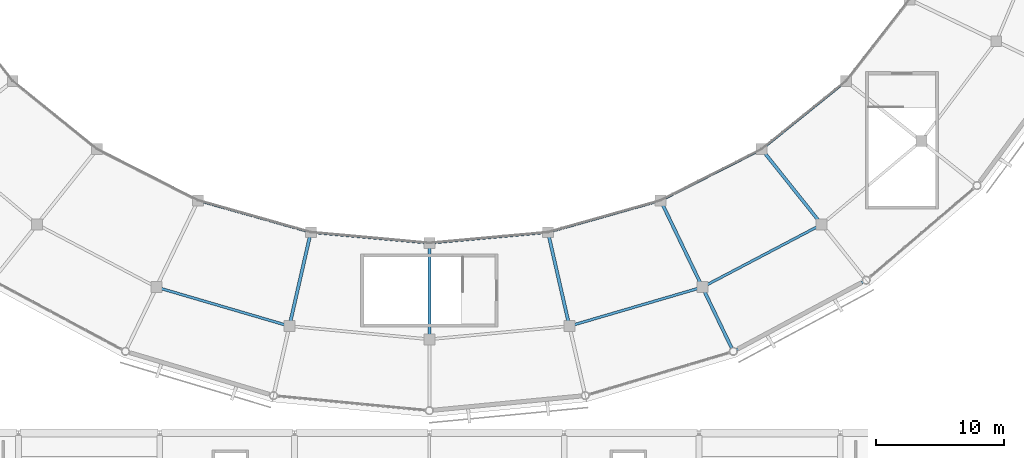
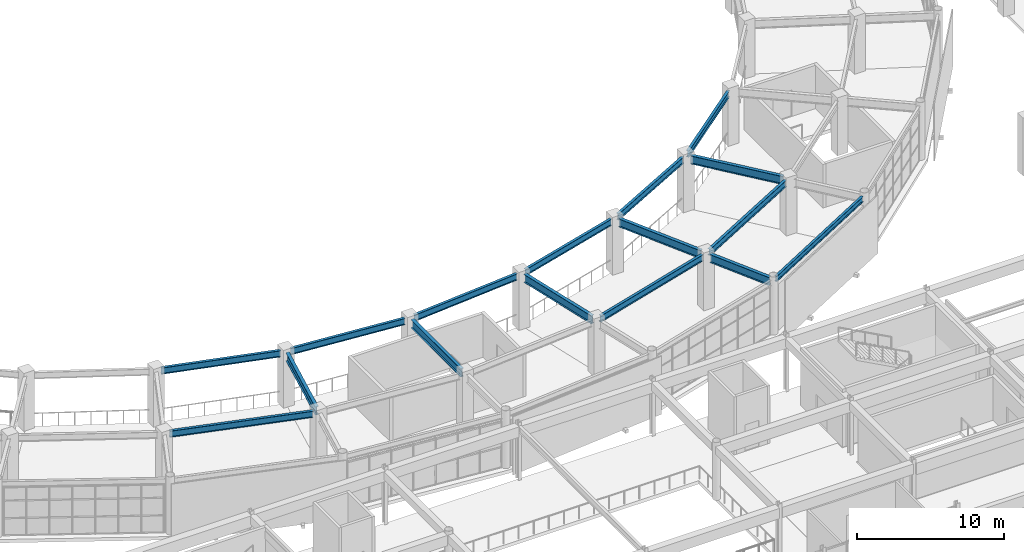
# One storey, part 32 of 112: 16 beams.
"""IFC4 building model written with IfcOpenShell, lengths in metres."""

from ifc_helpers import new_model, si_unit, direction, frame, origin, origin_2d, place, context, subcontext, project, spatial, i_section, extrude, material, material_profile, profile_set, type_object, element, save


model = new_model("IFC4")

# Units and contexts
model_context = context("Model", 3, precision=1e-05, world=origin(), true_north=direction((0.0, 1.0)))
body_context = subcontext(model_context, "Body", "Model", "MODEL_VIEW")
ifc_project = project(units=[si_unit("LENGTHUNIT", "METRE"), si_unit("AREAUNIT", "SQUARE_METRE"), si_unit("VOLUMEUNIT", "CUBIC_METRE"), si_unit("PLANEANGLEUNIT", "RADIAN"), si_unit("MASSUNIT", "GRAM", prefix="KILO")], contexts=[model_context])

# Site, building, storey
site_placement = place(None, origin())
site = spatial("IfcSite", under=ifc_project, at=site_placement, CompositionType="ELEMENT")
building_placement = place(site_placement, origin())
building = spatial("IfcBuilding", under=site, at=building_placement, Name="Cuetzalor Civic Arena", CompositionType="ELEMENT")
storey_placement = place(building_placement, frame((0.0, 0.0, 11.39990234375)))
storey = spatial("IfcBuildingStorey", under=building, at=storey_placement, Name="L02", CompositionType="ELEMENT", Elevation=11.39990234375)

# Beams
ifc_material_1 = material(Name="Steel S355", Category="steel")
ifc_material_profile_1 = material_profile(ifc_material_1, i_section(OverallWidth=0.18994140625, OverallDepth=0.45703125, WebThickness=0.009033203125, FlangeThickness=0.014404296875, at=origin_2d()), Name="W460x74")
ifc_profile_set_1 = profile_set([ifc_material_profile_1], Name="Steel S355")
beam_type_1 = type_object("IfcBeamType", Name="FacadeSpandrelBeam_W460", PredefinedType="SPANDREL", material=ifc_profile_set_1)
beam_1_placement = place(storey_placement, frame((23.924072265625, -41.802978515625, 4.29150390625), z_axis=(0.881304552514, 0.472548712534, 0.0), x_axis=(-0.472548712534, 0.881304552514, 0.0)))
element("IfcBeam", 1, at=beam_1_placement, inside=storey, type_object=beam_type_1, Name="Drum Perimeter Spandrel L02-S24", PredefinedType="SPANDREL", context=body_context, shape_type="SweptSolid", body=[
    extrude(i_section(OverallWidth=0.18994140625, OverallDepth=0.45703125, WebThickness=0.009033203125, FlangeThickness=0.014404296875, at=origin_2d()), origin(), (0.0, 0.0, 1.0), 11.156005859375),
])
ifc_material_2 = material(Name="Steel S355", Category="steel")
ifc_material_profile_2 = material_profile(ifc_material_2, i_section(OverallWidth=0.208984375, OverallDepth=0.532958984375, WebThickness=0.01025390625, FlangeThickness=0.015625, at=origin_2d()), Name="W530x92")
ifc_profile_set_2 = profile_set([ifc_material_profile_2], Name="Steel S355")
beam_type_2 = type_object("IfcBeamType", Name="SteelCollarGirder_W530", PredefinedType="BEAM", material=ifc_profile_set_2)
beam_2_placement = place(storey_placement, frame((-20.9052734375, -37.043701171875, 4.253662109375), z_axis=(0.959716323112, -0.280970779889, 0.0), x_axis=(0.280970779889, 0.959716323112, 0.0)))
element("IfcBeam", 2, at=beam_2_placement, inside=storey, type_object=beam_type_2, Name="Drum Concourse Ring Girder L02-S20", PredefinedType="BEAM", context=body_context, shape_type="SweptSolid", body=[
    extrude(i_section(OverallWidth=0.208984375, OverallDepth=0.532958984375, WebThickness=0.01025390625, FlangeThickness=0.015625, at=origin_2d()), origin(), (0.0, 0.0, 1.0), 10.0517578125),
])
beam_3_placement = place(storey_placement, frame((-17.659912109375, -30.280517578125, 4.253662109375), z_axis=(0.962353567102, -0.271800684117, 0.0), x_axis=(0.271800684117, 0.962353567102, 0.0)))
element("IfcBeam", 3, at=beam_3_placement, inside=storey, type_object=beam_type_2, Name="Bowl Inner Ring Girder L02-S20", PredefinedType="BEAM", context=body_context, shape_type="SweptSolid", body=[
    extrude(i_section(OverallWidth=0.208984375, OverallDepth=0.532958984375, WebThickness=0.01025390625, FlangeThickness=0.015625, at=origin_2d()), origin(), (0.0, 0.0, 1.0), 8.394775390625),
])
for number, where, z_axis, x_axis, name in (
    (4, (-8.876220703125, -32.692626953125, 4.253662109375), (0.995889930215, -0.090571777597, 0.0), (0.090571777597, 0.995889930215, 0.0), "Bowl Inner Ring Girder L02-S21"),
    (5, (0.3583984375, -33.46728515625, 4.253662109375), (0.995889930215, 0.090571777597, 0.0), (-0.090571777597, 0.995889930215, 0.0), "Bowl Inner Ring Girder L02-S22"),
):
    element("IfcBeam", number, at=place(storey_placement, frame(where, z_axis=z_axis, x_axis=x_axis)), inside=storey, type_object=beam_type_2, Name=name, PredefinedType="BEAM", context=body_context, shape_type="SweptSolid", body=[
        extrude(i_section(OverallWidth=0.208984375, OverallDepth=0.532958984375, WebThickness=0.01025390625, FlangeThickness=0.015625, at=origin_2d()), origin(), (0.0, 0.0, 1.0), 8.552978515625),
    ])
beam_4_placement = place(storey_placement, frame((11.258544921875, -39.867919921875, 4.253662109375), z_axis=(0.959716323112, 0.280970779889, 0.0), x_axis=(-0.280970779889, 0.959716323112, 0.0)))
element("IfcBeam", 6, at=beam_4_placement, inside=storey, type_object=beam_type_2, Name="Drum Concourse Ring Girder L02-S23", PredefinedType="BEAM", context=body_context, shape_type="SweptSolid", body=[
    extrude(i_section(OverallWidth=0.208984375, OverallDepth=0.532958984375, WebThickness=0.01025390625, FlangeThickness=0.015625, at=origin_2d()), origin(), (0.0, 0.0, 1.0), 10.0517578125),
])
beam_5_placement = place(storey_placement, frame((9.5810546875, -32.562255859375, 4.253662109375), z_axis=(0.962353567102, 0.271800684117, 0.0), x_axis=(-0.271800684117, 0.962353567102, 0.0)))
element("IfcBeam", 7, at=beam_5_placement, inside=storey, type_object=beam_type_2, Name="Bowl Inner Ring Girder L02-S23", PredefinedType="BEAM", context=body_context, shape_type="SweptSolid", body=[
    extrude(i_section(OverallWidth=0.208984375, OverallDepth=0.532958984375, WebThickness=0.01025390625, FlangeThickness=0.015625, at=origin_2d()), origin(), (0.0, 0.0, 1.0), 8.394775390625),
])
beam_6_placement = place(storey_placement, frame((21.587890625, -36.767578125, 4.253662109375), z_axis=(0.885117354883, 0.465367884673, 0.0), x_axis=(-0.465367884673, 0.885117354883, 0.0)))
element("IfcBeam", 8, at=beam_6_placement, inside=storey, type_object=beam_type_2, Name="Drum Concourse Ring Girder L02-S24", PredefinedType="BEAM", context=body_context, shape_type="SweptSolid", body=[
    extrude(i_section(OverallWidth=0.208984375, OverallDepth=0.532958984375, WebThickness=0.01025390625, FlangeThickness=0.015625, at=origin_2d()), origin(), (0.0, 0.0, 1.0), 9.75634765625),
])
beam_7_placement = place(storey_placement, frame((18.327392578125, -30.019775390625, 4.253662109375), z_axis=(0.89182706622, 0.452376484754, 0.0), x_axis=(-0.452376484754, 0.89182706622, 0.0)))
element("IfcBeam", 9, at=beam_7_placement, inside=storey, type_object=beam_type_2, Name="Bowl Inner Ring Girder L02-S24", PredefinedType="BEAM", context=body_context, shape_type="SweptSolid", body=[
    extrude(i_section(OverallWidth=0.208984375, OverallDepth=0.532958984375, WebThickness=0.01025390625, FlangeThickness=0.015625, at=origin_2d()), origin(), (0.0, 0.0, 1.0), 8.102783203125),
])
beam_8_placement = place(storey_placement, frame((26.15478515625, -25.96533203125, 4.253662109375), z_axis=(0.77812651983, 0.628107569719, 0.0), x_axis=(-0.628107569719, 0.77812651983, 0.0)))
element("IfcBeam", 10, at=beam_8_placement, inside=storey, type_object=beam_type_2, Name="Bowl Inner Ring Girder L02-S25", PredefinedType="BEAM", context=body_context, shape_type="SweptSolid", body=[
    extrude(i_section(OverallWidth=0.208984375, OverallDepth=0.532958984375, WebThickness=0.01025390625, FlangeThickness=0.015625, at=origin_2d()), origin(), (0.0, 0.0, 1.0), 7.725341796875),
])
ifc_material_3 = material(Name="Steel S355", Category="steel")
ifc_material_profile_3 = material_profile(ifc_material_3, i_section(OverallWidth=0.2529296875, OverallDepth=0.677978515625, WebThickness=0.01171875, FlangeThickness=0.016357421875, at=origin_2d()), Name="W690x125")
ifc_profile_set_3 = profile_set([ifc_material_profile_3], Name="Steel S355")
beam_type_3 = type_object("IfcBeamType", Name="SteelPrimaryGirder_W690", PredefinedType="BEAM", material=ifc_profile_set_3)
beam_9_placement = place(storey_placement, frame((-9.314697265625, -33.010986328125, 4.18115234375), z_axis=(-0.222531472988, -0.974925506657, 0.0), x_axis=(0.974925506657, -0.222531472988, 0.0)))
element("IfcBeam", 11, at=beam_9_placement, inside=storey, type_object=beam_type_3, Name="Drum Inner Radial Girder L02-R21", PredefinedType="BEAM", context=body_context, shape_type="SweptSolid", body=[
    extrude(i_section(OverallWidth=0.2529296875, OverallDepth=0.677978515625, WebThickness=0.01171875, FlangeThickness=0.016357421875, at=origin_2d()), origin(), (0.0, 0.0, 1.0), 6.780029296875),
])
beam_10_placement = place(storey_placement, frame((0.0, -33.860107421875, 4.18115234375), z_axis=(0.0, -1.0, 0.0), x_axis=(1.0, 0.0, 0.0)))
element("IfcBeam", 12, at=beam_10_placement, inside=storey, type_object=beam_type_3, Name="Drum Inner Radial Girder L02-R22", PredefinedType="BEAM", context=body_context, shape_type="SweptSolid", body=[
    extrude(i_section(OverallWidth=0.2529296875, OverallDepth=0.677978515625, WebThickness=0.01171875, FlangeThickness=0.016357421875, at=origin_2d()), origin(), (0.0, 0.0, 1.0), 6.77978515625),
])
beam_11_placement = place(storey_placement, frame((9.314697265625, -33.010986328125, 4.18115234375), z_axis=(0.222531472988, -0.974925506657, 0.0), x_axis=(0.974925506657, 0.222531472988, 0.0)))
element("IfcBeam", 13, at=beam_11_placement, inside=storey, type_object=beam_type_3, Name="Drum Inner Radial Girder L02-R23", PredefinedType="BEAM", context=body_context, shape_type="SweptSolid", body=[
    extrude(i_section(OverallWidth=0.2529296875, OverallDepth=0.677978515625, WebThickness=0.01171875, FlangeThickness=0.016357421875, at=origin_2d()), origin(), (0.0, 0.0, 1.0), 6.780029296875),
])
beam_12_placement = place(storey_placement, frame((21.41650390625, -37.263916015625, 4.18115234375), z_axis=(0.433871046232, -0.900974980364, 0.0), x_axis=(0.900974980364, 0.433871046232, 0.0)))
element("IfcBeam", 14, at=beam_12_placement, inside=storey, type_object=beam_type_3, Name="Drum Radial Girder L02-R24", PredefinedType="BEAM", context=body_context, shape_type="SweptSolid", body=[
    extrude(i_section(OverallWidth=0.2529296875, OverallDepth=0.677978515625, WebThickness=0.01171875, FlangeThickness=0.016357421875, at=origin_2d()), origin(), (0.0, 0.0, 1.0), 4.89990234375),
])
beam_13_placement = place(storey_placement, frame((18.162353515625, -30.5068359375, 4.18115234375), z_axis=(0.433869751452, -0.900975603874, 0.0), x_axis=(0.900975603874, 0.433869751452, 0.0)))
element("IfcBeam", 15, at=beam_13_placement, inside=storey, type_object=beam_type_3, Name="Drum Inner Radial Girder L02-R24", PredefinedType="BEAM", context=body_context, shape_type="SweptSolid", body=[
    extrude(i_section(OverallWidth=0.2529296875, OverallDepth=0.677978515625, WebThickness=0.01171875, FlangeThickness=0.016357421875, at=origin_2d()), origin(), (0.0, 0.0, 1.0), 6.780029296875),
])
beam_14_placement = place(storey_placement, frame((26.099365234375, -26.472900390625, 4.18115234375), z_axis=(0.623473464464, -0.781844510826, 0.0), x_axis=(0.781844510826, 0.623473464464, 0.0)))
element("IfcBeam", 16, at=beam_14_placement, inside=storey, type_object=beam_type_3, Name="Drum Inner Radial Girder L02-R25", PredefinedType="BEAM", context=body_context, shape_type="SweptSolid", body=[
    extrude(i_section(OverallWidth=0.2529296875, OverallDepth=0.677978515625, WebThickness=0.01171875, FlangeThickness=0.016357421875, at=origin_2d()), origin(), (0.0, 0.0, 1.0), 6.77978515625),
])

save(model, "model.ifc")
